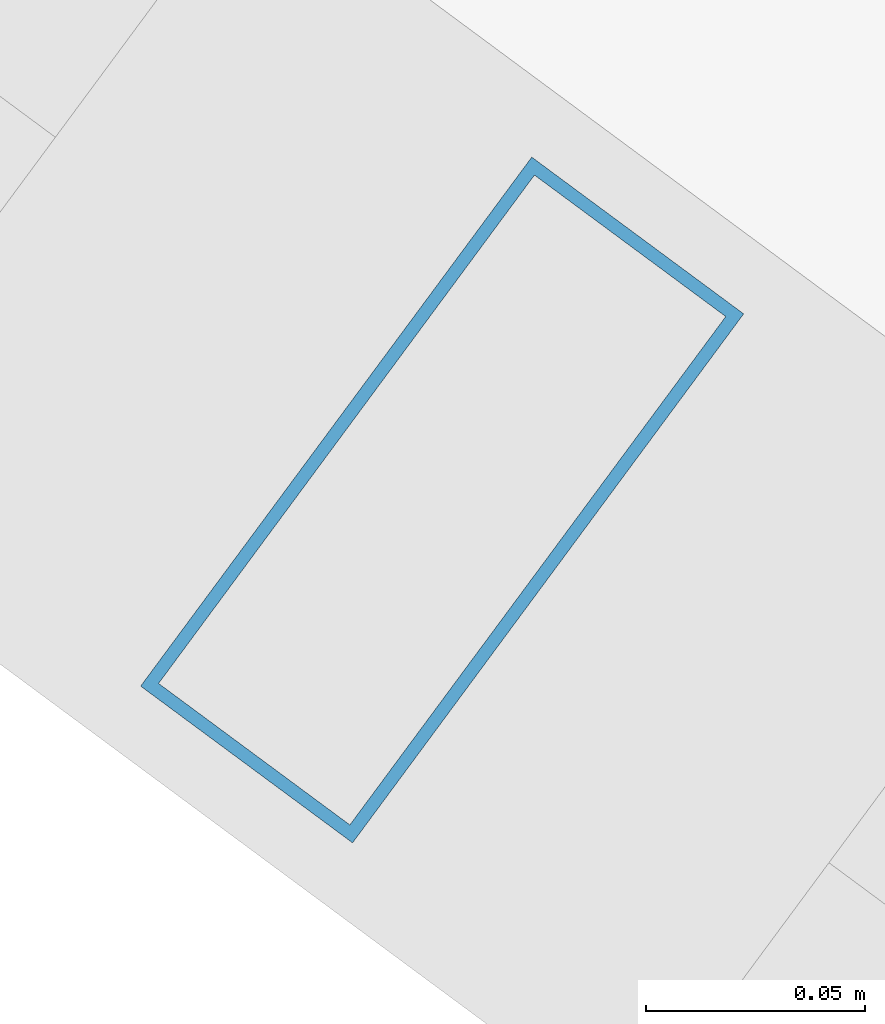
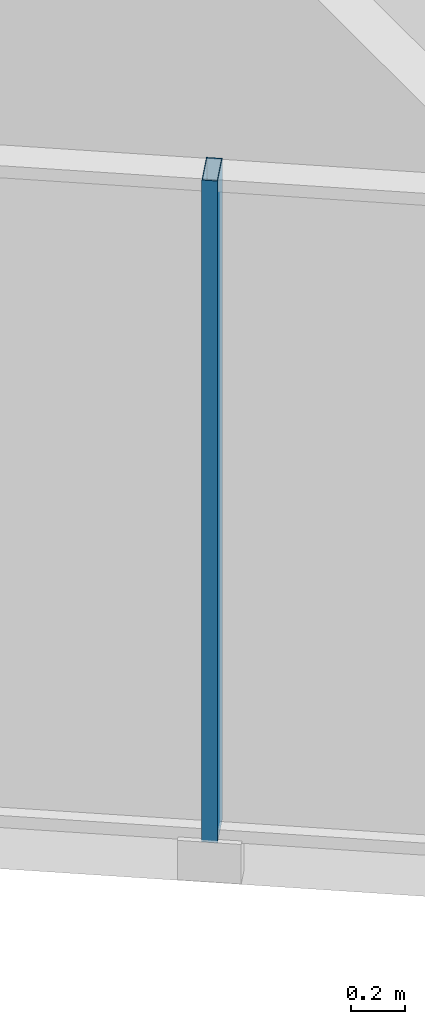
# One storey, part 2 of 30: 1 member, 1 element without a shape of its own.
"""IFC4 building model written with IfcOpenShell, lengths in metres."""

from ifc_helpers import new_model, si_unit, direction, frame, origin, origin_2d, place, context, subcontext, project, spatial, hollow_rectangle, extrude, source, transform, mapped, material, layer, layer_set, material_profile, profile_set, type_object, element, aggregate, save


model = new_model("IFC4")

# Units and contexts
model_context = context("Model", 3, precision=1e-05, world=origin(), true_north=direction((0.0, 1.0)))
body_context = subcontext(model_context, "Body", "Model", "MODEL_VIEW")
ifc_project = project(units=[si_unit("LENGTHUNIT", "METRE"), si_unit("AREAUNIT", "SQUARE_METRE"), si_unit("VOLUMEUNIT", "CUBIC_METRE"), si_unit("PLANEANGLEUNIT", "RADIAN"), si_unit("MASSUNIT", "GRAM", prefix="KILO")], contexts=[model_context])

# Site, building, storey
site_placement = place(None, origin())
site = spatial("IfcSite", under=ifc_project, at=site_placement, CompositionType="ELEMENT")
building_placement = place(site_placement, origin())
building = spatial("IfcBuilding", under=site, at=building_placement, Name="Veraguas Prism Commons", CompositionType="ELEMENT")
storey_placement = place(building_placement, frame((0.0, 0.0, 230.050048828125)))
storey = spatial("IfcBuildingStorey", under=building, at=storey_placement, Name="L65", CompositionType="ELEMENT", Elevation=230.050048828125)

# Curtain wall, member
ifc_material = material(Name="Anodised aluminium EN AW-6063 T6", Category="aluminium")
ifc_layer = layer(ifc_material, 0.14990234375, Name="Unitised Flush Curtain Wall Zone 4", Category="aluminium")
ifc_layer_set = layer_set([ifc_layer], Name="Anodised aluminium EN AW-6063 T6")
curtain_wall_type = type_object("IfcCurtainWallType", Name="Unitised Flush Curtain Wall Zone 4", PredefinedType="NOTDEFINED", material=ifc_layer_set)
curtain_wall_placement = place(storey_placement, origin())
curtain_wall = element("IfcCurtainWall", 1, at=curtain_wall_placement, inside=storey, type_object=curtain_wall_type, Name="Tower Facade Curtain Wall L65-F4", PredefinedType="NOTDEFINED")
ifc_material_profile = material_profile(ifc_material, hollow_rectangle(XDim=0.06005859375, YDim=0.14990234375, WallThickness=0.0029296875, at=origin_2d()), Name="AL60X150X3")
ifc_profile_set = profile_set([ifc_material_profile], Name="Anodised aluminium EN AW-6063 T6")
member_type = type_object("IfcMemberType", Name="Curtain Wall Mullion Upper AL 60x150x3", PredefinedType="MULLION", material=ifc_profile_set)
shared_shape = source(origin(), body_context, "Body", "SweptSolid", [
    extrude(hollow_rectangle(XDim=0.06005859375, YDim=0.14990234375, WallThickness=0.0029296875, at=origin_2d()), origin(), (0.0, 0.0, 1.0), 3.014892578125),
])
member_placement = place(storey_placement, frame((14.217041015625, 10.76953125, 0.0), z_axis=(0.0, 0.0, 1.0), x_axis=(0.804067556966, -0.59453794146, 0.0)))
member = element("IfcMember", 2, at=member_placement, type_object=member_type, Name="CW-Z4 Mullion 3", PredefinedType="MULLION", context=body_context, shape_type="MappedRepresentation", body=[
    mapped(shared_shape, transform((0.0, 0.0, 0.0), scale=1.0)),
])
aggregate(curtain_wall, [member])

save(model, "model.ifc")
